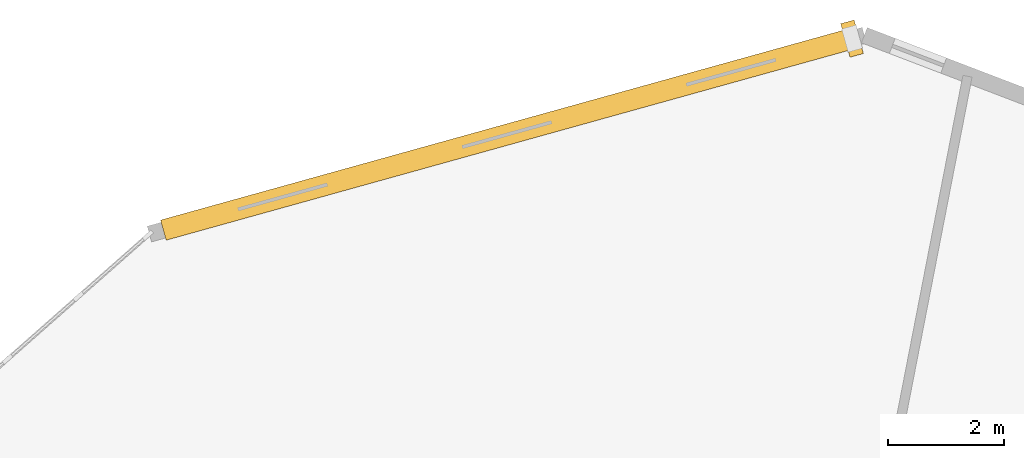
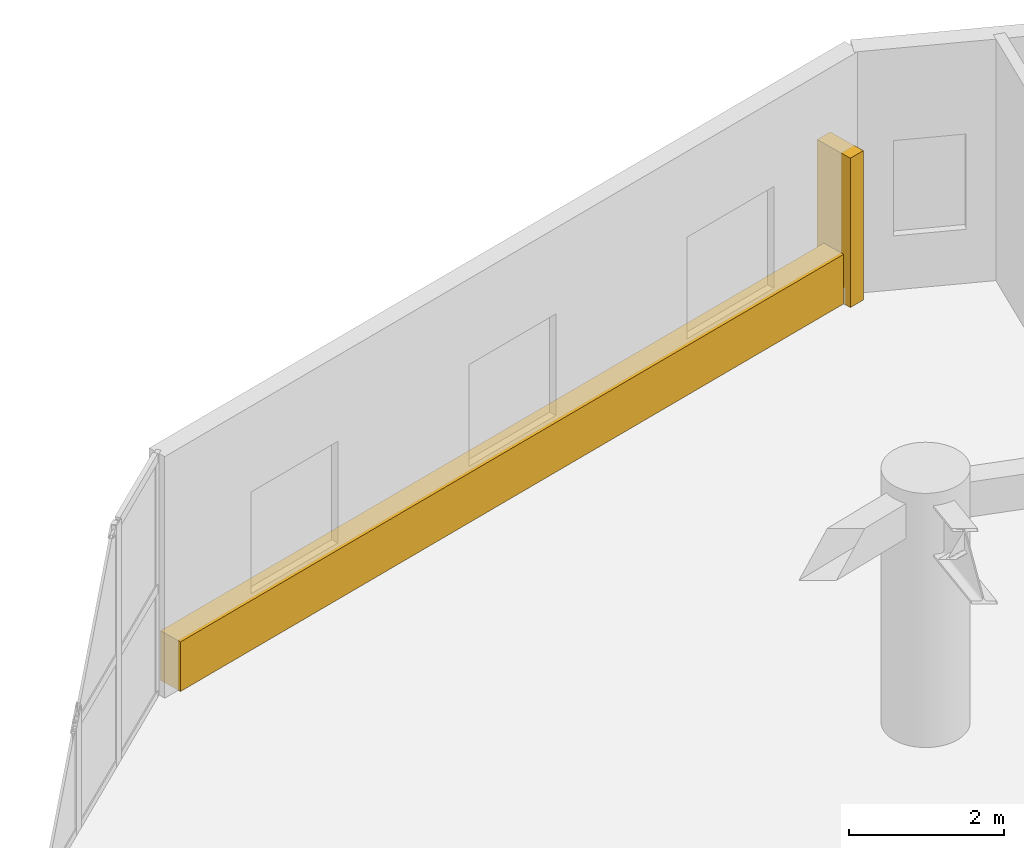
# One storey, part 12 of 12: 1 covering, 1 shading device.
"""IFC4 building model written with IfcOpenShell, lengths in metres."""

from ifc_helpers import new_model, si_unit, direction, frame, origin, origin_with_axes, origin_2d, place, context, subcontext, project, spatial, rectangle, extrude, source, transform, mapped, material, layer, layer_set, type_object, element, save


model = new_model("IFC4")

# Units and contexts
model_context = context("Model", 3, precision=1e-05, world=origin(), true_north=direction((0.0, 1.0)))
body_context = subcontext(model_context, "Body", "Model", "MODEL_VIEW")
ifc_project = project(units=[si_unit("LENGTHUNIT", "METRE"), si_unit("AREAUNIT", "SQUARE_METRE"), si_unit("VOLUMEUNIT", "CUBIC_METRE"), si_unit("PLANEANGLEUNIT", "RADIAN"), si_unit("MASSUNIT", "GRAM", prefix="KILO")], contexts=[model_context])

# Site, building, storey
site_placement = place(None, origin())
site = spatial("IfcSite", under=ifc_project, at=site_placement, CompositionType="ELEMENT")
building_placement = place(site_placement, origin())
building = spatial("IfcBuilding", under=site, at=building_placement, Name="Karkom Vertical University and Central Library", CompositionType="ELEMENT")
storey_placement = place(building_placement, frame((0.0, 0.0, 212.89990234375)))
storey = spatial("IfcBuildingStorey", under=building, at=storey_placement, Name="L62", CompositionType="ELEMENT", Elevation=212.89990234375)

# Shading device
ifc_material_1 = material(Name="Terracotta-clad precast concrete sun-breaker fin C45/55", Category="masonry")
shading_device_type = type_object("IfcShadingDeviceType", Name="ENV-SHD-BRISE", PredefinedType="USERDEFINED", material=ifc_material_1)
shared_shape_1 = source(origin_with_axes(), body_context, "Body", "SweptSolid", [
    extrude(rectangle(XDim=0.239990234375, YDim=0.60009765625, at=origin_2d()), origin(), (0.0, 0.0, 1.0), 2.35009765625),
])
shading_device_placement = place(storey_placement, frame((30.925048828125, 49.549072265625, 0.0), z_axis=(0.0, 0.0, 1.0), x_axis=(-0.963443650811, -0.267911051866, 0.0)))
element("IfcShadingDevice", 1, at=shading_device_placement, inside=storey, type_object=shading_device_type, Name="Level 62 Brutalist Brise-Soleil Fin 09", ObjectType="BRISE SOLEIL", PredefinedType="USERDEFINED", context=body_context, shape_type="MappedRepresentation", body=[
    mapped(shared_shape_1, transform((0.0, 0.0, 0.0), scale=1.0)),
])

# Covering
ifc_material_2 = material(Name="Hand-pressed red-ochre terracotta brick slip cladding", Category="masonry")
ifc_layer = layer(ifc_material_2, 0.090087890625)
ifc_layer_set = layer_set([ifc_layer], Name="Hand-pressed red-ochre terracotta brick slip cladding")
covering_type = type_object("IfcCoveringType", Name="ENV-COV-CLAD", PredefinedType="CLADDING", material=ifc_layer_set)
shared_shape_2 = source(origin_with_axes(), body_context, "Body", "SweptSolid", [
    extrude(rectangle(XDim=12.297119140625, YDim=0.360107421875, at=origin_2d()), origin(), (0.0, 0.0, 1.0), 0.780029296875),
])
covering_placement = place(storey_placement, frame((24.972412109375, 47.8935546875, 0.0), z_axis=(0.0, 0.0, 1.0), x_axis=(-0.963443650811, -0.267911051866, 0.0)))
element("IfcCovering", 2, at=covering_placement, inside=storey, type_object=covering_type, Name="Level 62 Terracotta Spandrel Cladding 09", PredefinedType="CLADDING", context=body_context, shape_type="MappedRepresentation", body=[
    mapped(shared_shape_2, transform((0.0, 0.0, 0.0), scale=1.0)),
])

save(model, "model.ifc")
